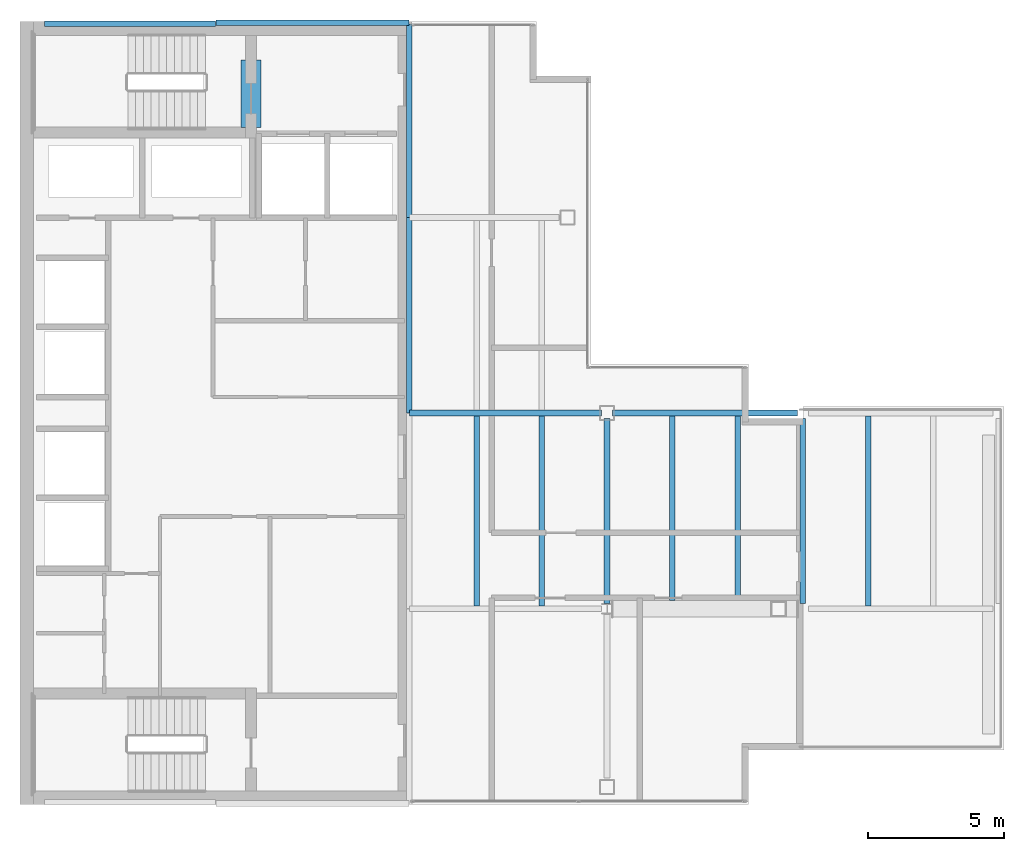
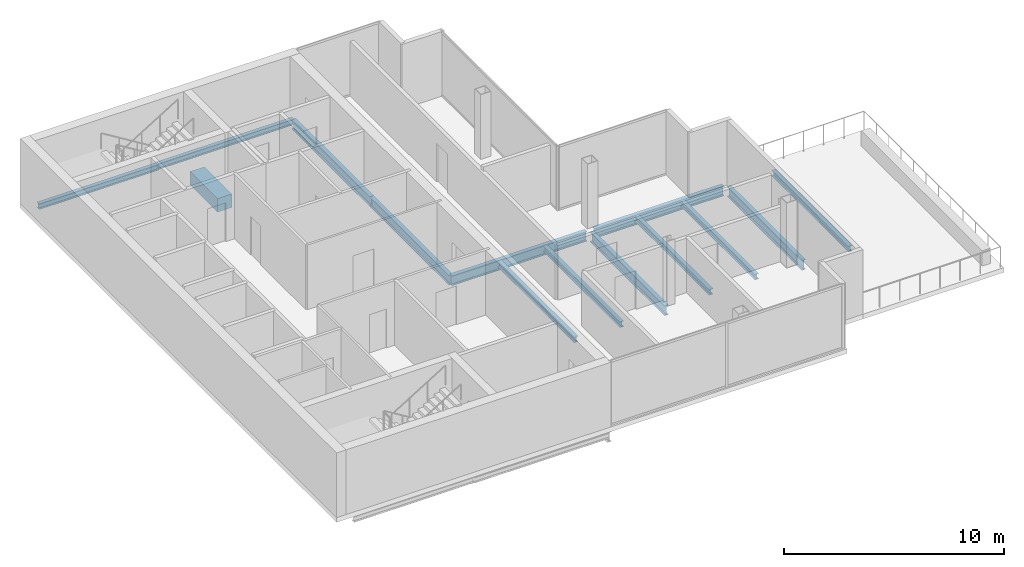
# One storey, part 7 of 16: 14 beams.
"""IFC4 building model written with IfcOpenShell, lengths in metres."""

from ifc_helpers import new_model, si_unit, direction, frame, origin, origin_2d, place, context, subcontext, project, spatial, rectangle, i_section, extrude, material, material_profile, profile_set, type_object, element, save


model = new_model("IFC4")

# Units and contexts
model_context = context("Model", 3, precision=1e-05, world=origin(), true_north=direction((0.0, 1.0)))
body_context = subcontext(model_context, "Body", "Model", "MODEL_VIEW")
ifc_project = project(units=[si_unit("LENGTHUNIT", "METRE"), si_unit("AREAUNIT", "SQUARE_METRE"), si_unit("VOLUMEUNIT", "CUBIC_METRE"), si_unit("PLANEANGLEUNIT", "RADIAN"), si_unit("MASSUNIT", "GRAM", prefix="KILO")], contexts=[model_context])

# Site, building, storey
site_placement = place(None, origin())
site = spatial("IfcSite", under=ifc_project, at=site_placement, CompositionType="ELEMENT")
building_placement = place(site_placement, origin())
building = spatial("IfcBuilding", under=site, at=building_placement, Name="Cobrela Telecom Tower", CompositionType="ELEMENT")
storey_placement = place(building_placement, frame((0.0, 0.0, 293.64990234375)))
storey = spatial("IfcBuildingStorey", under=building, at=storey_placement, Name="L77", CompositionType="ELEMENT", Elevation=293.64990234375)

# Beams
ifc_material_1 = material(Name="Concrete C40/50", Category="concrete")
ifc_material_profile_1 = material_profile(ifc_material_1, rectangle(XDim=0.75, YDim=0.75, at=origin_2d()), Name="RC 750x750")
ifc_profile_set_1 = profile_set([ifc_material_profile_1], Name="Concrete C40/50")
beam_type_1 = type_object("IfcBeamType", Name="BM-COUP-RC", PredefinedType="LINTEL", material=ifc_profile_set_1)
beam_1_placement = place(storey_placement, frame((8.5, 32.10009765625, -0.60986328125), z_axis=(0.0, 1.0, 0.0), x_axis=(-1.0, 0.0, 0.0)))
element("IfcBeam", 1, at=beam_1_placement, inside=storey, type_object=beam_type_1, Name="L77 Core Coupling Lintel Beam", PredefinedType="LINTEL", context=body_context, shape_type="SweptSolid", body=[
    extrude(rectangle(XDim=0.75, YDim=0.75, at=origin_2d()), origin(), (0.0, 0.0, 1.0), 2.5),
])
ifc_material_2 = material(Name="Steel ASTM A992 Grade 50", Category="steel")
ifc_material_profile_2 = material_profile(ifc_material_2, i_section(OverallWidth=0.212890625, OverallDepth=0.549072265625, WebThickness=0.0146484375, FlangeThickness=0.023681640625, FilletRadius=0.013916015625, at=origin_2d()), Name="W21X93")
ifc_profile_set_2 = profile_set([ifc_material_profile_2], Name="Steel ASTM A992 Grade 50")
beam_type_2 = type_object("IfcBeamType", Name="BM-GIRD-08", PredefinedType="USERDEFINED", material=ifc_profile_set_2)
beam_2_placement = place(storey_placement, frame((14.324951171875, 21.60009765625, -0.534423828125), z_axis=(1.0, 0.0, 0.0), x_axis=(0.0, 1.0, 0.0)))
element("IfcBeam", 2, at=beam_2_placement, inside=storey, type_object=beam_type_2, Name="L77 Primary Girder X05", ObjectType="GIRDER", PredefinedType="USERDEFINED", context=body_context, shape_type="SweptSolid", body=[
    extrude(i_section(OverallWidth=0.212890625, OverallDepth=0.549072265625, WebThickness=0.0146484375, FlangeThickness=0.023681640625, FilletRadius=0.013916015625, at=origin_2d()), origin(), (0.0, 0.0, 1.0), 7.070556640625),
])
beam_3_placement = place(storey_placement, frame((21.804443359375, 21.60009765625, -0.534423828125), z_axis=(1.0, 0.0, 0.0), x_axis=(0.0, 1.0, 0.0)))
element("IfcBeam", 3, at=beam_3_placement, inside=storey, type_object=beam_type_2, Name="L77 Primary Girder X06", ObjectType="GIRDER", PredefinedType="USERDEFINED", context=body_context, shape_type="SweptSolid", body=[
    extrude(i_section(OverallWidth=0.212890625, OverallDepth=0.549072265625, WebThickness=0.0146484375, FlangeThickness=0.023681640625, FilletRadius=0.013916015625, at=origin_2d()), origin(), (0.0, 0.0, 1.0), 6.791015625),
])
beam_4_placement = place(storey_placement, frame((14.320068359375, 21.60498046875, -0.534423828125), z_axis=(0.0, 1.0, 0.0), x_axis=(-1.0, 0.0, 0.0)))
element("IfcBeam", 4, at=beam_4_placement, inside=storey, type_object=beam_type_2, Name="L77 Primary Girder Y13", ObjectType="GIRDER", PredefinedType="USERDEFINED", context=body_context, shape_type="SweptSolid", body=[
    extrude(i_section(OverallWidth=0.212890625, OverallDepth=0.549072265625, WebThickness=0.0146484375, FlangeThickness=0.023681640625, FilletRadius=0.013916015625, at=origin_2d()), origin(), (0.0, 0.0, 1.0), 7.18994140625),
])
beam_5_placement = place(storey_placement, frame((14.320068359375, 28.804931640625, -0.534423828125), z_axis=(0.0, 1.0, 0.0), x_axis=(-1.0, 0.0, 0.0)))
element("IfcBeam", 5, at=beam_5_placement, inside=storey, type_object=beam_type_2, Name="L77 Primary Girder Y14", ObjectType="GIRDER", PredefinedType="USERDEFINED", context=body_context, shape_type="SweptSolid", body=[
    extrude(i_section(OverallWidth=0.212890625, OverallDepth=0.549072265625, WebThickness=0.0146484375, FlangeThickness=0.023681640625, FilletRadius=0.013916015625, at=origin_2d()), origin(), (0.0, 0.0, 1.0), 7.110107421875),
])
for number, where, z_axis, x_axis, name in (
    (6, (21.60009765625, 14.6044921875, -0.534423828125), (0.0, 1.0, 0.0), (-1.0, 0.0, 0.0), "L77 Primary Girder Y16"),
    (7, (28.800048828125, 14.6044921875, -0.534423828125), (0.0, 1.0, 0.0), (-1.0, 0.0, 0.0), "L77 Primary Girder Y17"),
):
    element("IfcBeam", number, at=place(storey_placement, frame(where, z_axis=z_axis, x_axis=x_axis)), inside=storey, type_object=beam_type_2, Name=name, ObjectType="GIRDER", PredefinedType="USERDEFINED", context=body_context, shape_type="SweptSolid", body=[
        extrude(i_section(OverallWidth=0.212890625, OverallDepth=0.549072265625, WebThickness=0.0146484375, FlangeThickness=0.023681640625, FilletRadius=0.013916015625, at=origin_2d()), origin(), (0.0, 0.0, 1.0), 6.791015625),
    ])
ifc_material_profile_3 = material_profile(ifc_material_2, i_section(OverallWidth=0.205078125, OverallDepth=0.31005859375, WebThickness=0.009521484375, FlangeThickness=0.016357421875, FilletRadius=0.010986328125, at=origin_2d()), Name="W12X50")
ifc_profile_set_3 = profile_set([ifc_material_profile_3], Name="Steel ASTM A992 Grade 50")
beam_type_3 = type_object("IfcBeamType", Name="BM-JOIST-05", PredefinedType="JOIST", material=ifc_profile_set_3)
for number, where, z_axis, x_axis, name in (
    (8, (16.800048828125, 14.511474609375, -0.414794921875), (0.0, 1.0, 0.0), (-1.0, 0.0, 0.0), "L77 Secondary Composite Floor Beam J01"),
    (9, (19.199951171875, 14.511474609375, -0.414794921875), (0.0, 1.0, 0.0), (-1.0, 0.0, 0.0), "L77 Secondary Composite Floor Beam J03"),
):
    element("IfcBeam", number, at=place(storey_placement, frame(where, z_axis=z_axis, x_axis=x_axis)), inside=storey, type_object=beam_type_3, Name=name, PredefinedType="JOIST", context=body_context, shape_type="SweptSolid", body=[
        extrude(i_section(OverallWidth=0.205078125, OverallDepth=0.31005859375, WebThickness=0.009521484375, FlangeThickness=0.016357421875, FilletRadius=0.010986328125, at=origin_2d()), origin(), (0.0, 0.0, 1.0), 6.97705078125),
    ])
for number, where, z_axis, x_axis, name in (
    (10, (24.0, 14.705078125, -0.414794921875), (0.0, 1.0, 0.0), (-1.0, 0.0, 0.0), "L77 Secondary Composite Floor Beam J05"),
    (11, (26.39990234375, 14.705078125, -0.414794921875), (0.0, 1.0, 0.0), (-1.0, 0.0, 0.0), "L77 Secondary Composite Floor Beam J06"),
):
    element("IfcBeam", number, at=place(storey_placement, frame(where, z_axis=z_axis, x_axis=x_axis)), inside=storey, type_object=beam_type_3, Name=name, PredefinedType="JOIST", context=body_context, shape_type="SweptSolid", body=[
        extrude(i_section(OverallWidth=0.205078125, OverallDepth=0.31005859375, WebThickness=0.009521484375, FlangeThickness=0.016357421875, FilletRadius=0.010986328125, at=origin_2d()), origin(), (0.0, 0.0, 1.0), 6.783447265625),
    ])
beam_6_placement = place(storey_placement, frame((31.199951171875, 14.511474609375, -0.414794921875), z_axis=(0.0, 1.0, 0.0), x_axis=(-1.0, 0.0, 0.0)))
element("IfcBeam", 12, at=beam_6_placement, inside=storey, type_object=beam_type_3, Name="L77 Secondary Composite Floor Beam J07", PredefinedType="JOIST", context=body_context, shape_type="SweptSolid", body=[
    extrude(i_section(OverallWidth=0.205078125, OverallDepth=0.31005859375, WebThickness=0.009521484375, FlangeThickness=0.016357421875, FilletRadius=0.010986328125, at=origin_2d()), origin(), (0.0, 0.0, 1.0), 6.98095703125),
])
ifc_material_profile_4 = material_profile(ifc_material_2, i_section(OverallWidth=0.205078125, OverallDepth=0.31005859375, WebThickness=0.009521484375, FlangeThickness=0.016357421875, FilletRadius=0.010986328125, at=origin_2d()), Name="W12X50")
ifc_profile_set_4 = profile_set([ifc_material_profile_4], Name="Steel ASTM A992 Grade 50")
beam_type_4 = type_object("IfcBeamType", Name="BM-SPAND-07", PredefinedType="SPANDREL", material=ifc_profile_set_4)
beam_7_placement = place(storey_placement, frame((0.905029296875, 35.919921875, -0.414794921875), z_axis=(1.0, 0.0, 0.0), x_axis=(0.0, 1.0, 0.0)))
element("IfcBeam", 13, at=beam_7_placement, inside=storey, type_object=beam_type_4, Name="L77 Perimeter Spandrel X09", PredefinedType="SPANDREL", context=body_context, shape_type="SweptSolid", body=[
    extrude(i_section(OverallWidth=0.205078125, OverallDepth=0.31005859375, WebThickness=0.009521484375, FlangeThickness=0.016357421875, FilletRadius=0.010986328125, at=origin_2d()), origin(), (0.0, 0.0, 1.0), 6.2900390625),
])
beam_8_placement = place(storey_placement, frame((7.205078125, 35.9599609375, -0.414794921875), z_axis=(1.0, 0.0, 0.0), x_axis=(0.0, 1.0, 0.0)))
element("IfcBeam", 14, at=beam_8_placement, inside=storey, type_object=beam_type_4, Name="L77 Perimeter Spandrel X10", PredefinedType="SPANDREL", context=body_context, shape_type="SweptSolid", body=[
    extrude(i_section(OverallWidth=0.205078125, OverallDepth=0.31005859375, WebThickness=0.009521484375, FlangeThickness=0.016357421875, FilletRadius=0.010986328125, at=origin_2d()), origin(), (0.0, 0.0, 1.0), 7.10986328125),
])

save(model, "model.ifc")
